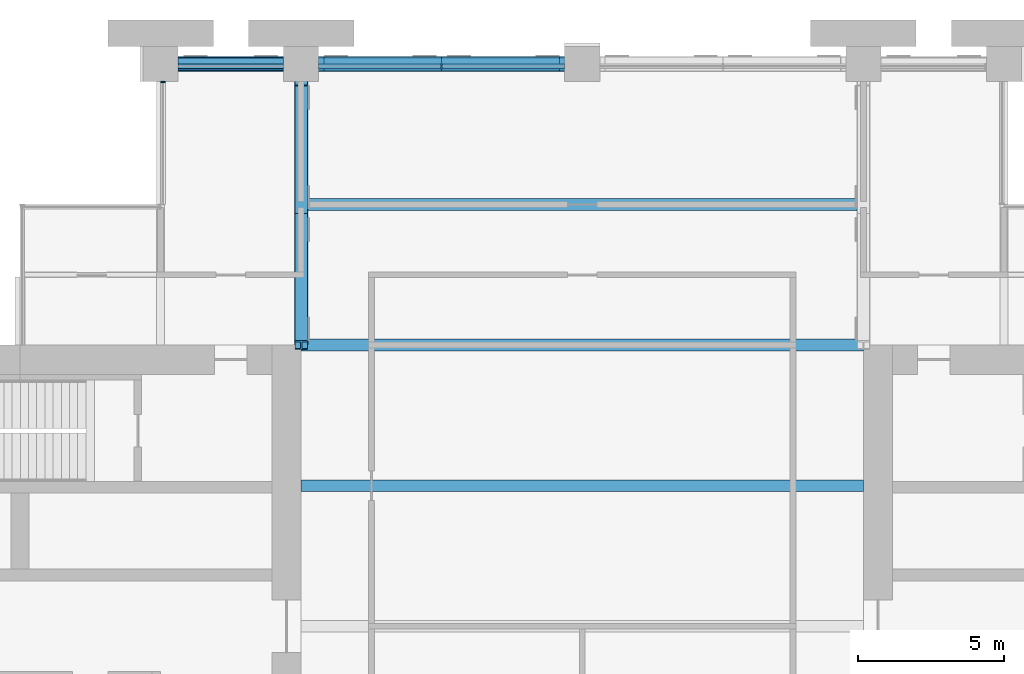
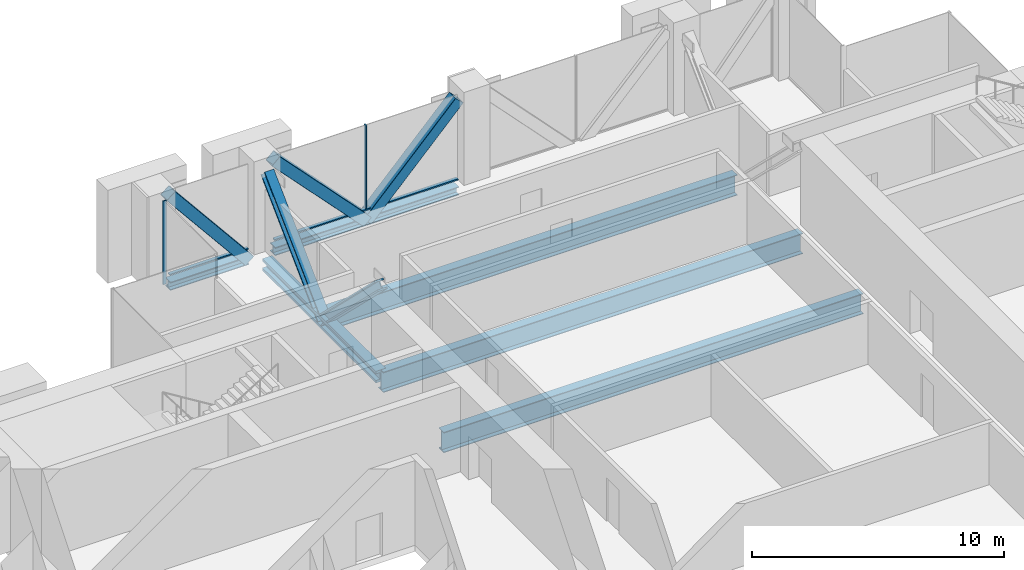
# One storey, part 6 of 14: 9 members, 6 beams, 2 elements without a shape of their own.
"""IFC4 building model written with IfcOpenShell, lengths in metres."""

import ifcopenshell
import ifcopenshell.guid

model = None  # the IFC model being written
_history = None  # IfcOwnerHistory: only IFC2X3 demands one
_inside = {}  # id of a spatial element -> (the spatial element, [elements in it])
_under = {}  # id of a project, library or spatial element -> (it, [spatial elements below it])
_declared = {}  # id of a project -> (the project, [libraries it declares])
_typed = {}  # id of a type object -> (the type object, [elements of that type])
_made_of = {}  # id of a material, layer set ... -> (it, [elements and type objects made of it])


def new_model(schema):
    """Start an empty IFC model of exactly this schema.

    Asked for "IFC4X3", IfcOpenShell would pick the latest addendum, in which some entities
    have other attributes; the version numbers below select the first issue.
    IFC2X3 requires an IfcOwnerHistory on every rooted entity: one is made here for all.
    """
    global model, _history
    if schema == "IFC4X3":
        model = ifcopenshell.file(schema_version=(4, 3, 0, 0))
    else:
        model = ifcopenshell.file(schema=schema)
    _inside.clear()
    _under.clear()
    _declared.clear()
    _typed.clear()
    _made_of.clear()
    _history = None
    if model.schema == "IFC2X3":
        org = make("IfcOrganization", Name="unknown")
        user = make(
            "IfcPersonAndOrganization",
            ThePerson=make("IfcPerson", FamilyName="unknown"),
            TheOrganization=org,
        )
        app = make(
            "IfcApplication",
            ApplicationDeveloper=org,
            Version="unknown",
            ApplicationFullName="unknown",
            ApplicationIdentifier="unknown",
        )
        _history = make(
            "IfcOwnerHistory",
            OwningUser=user,
            OwningApplication=app,
            ChangeAction="ADDED",
            CreationDate=0,
        )
    return model


def make(cls, **values):
    """One entity of the class cls with the attributes given. An attribute that is None is left unset."""
    return model.create_entity(
        cls, **{name: value for name, value in values.items() if value is not None}
    )


def rooted(cls, **values):
    """An entity with a GlobalId (a new one), such as an element, a storey or a relation."""
    return make(cls, GlobalId=ifcopenshell.guid.new(), OwnerHistory=_history, **values)


def si_unit(unit_type, name, prefix=None):
    """IfcSIUnit, for example si_unit("LENGTHUNIT", "METRE", prefix="MILLI")."""
    return make("IfcSIUnit", UnitType=unit_type, Prefix=prefix, Name=name)


def assignment(units):
    """IfcUnitAssignment: the units of a project."""
    return None if units is None else make("IfcUnitAssignment", Units=units)


def point(xyz):
    """IfcCartesianPoint."""
    return None if xyz is None else make("IfcCartesianPoint", Coordinates=xyz)


def direction(xyz):
    """IfcDirection."""
    return None if xyz is None else make("IfcDirection", DirectionRatios=xyz)


def frame(location, z_axis=None, x_axis=None):
    """IfcAxis2Placement3D, a coordinate frame: its origin and axes. An axis left out is left unset."""
    return make(
        "IfcAxis2Placement3D",
        Location=point(location),
        Axis=direction(z_axis),
        RefDirection=direction(x_axis),
    )


def frame_2d(location, x_axis=None):
    """IfcAxis2Placement2D, a coordinate frame in the plane: its origin and x axis."""
    return make(
        "IfcAxis2Placement2D", Location=point(location), RefDirection=direction(x_axis)
    )


def origin():
    """The frame at (0, 0, 0) with its axes left unset."""
    return frame((0.0, 0.0, 0.0))


def origin_2d():
    """The frame at (0, 0) in the plane with its x axis left unset."""
    return frame_2d((0.0, 0.0))


def place(relative_to, where):
    """IfcLocalPlacement: puts the frame where relative to a parent placement (None: the world)."""
    return make(
        "IfcLocalPlacement", PlacementRelTo=relative_to, RelativePlacement=where
    )


def context(
    kind, dimensions, precision=None, world=None, true_north=None, identifier=None
):
    """IfcGeometricRepresentationContext, for example the 3D "Model" context."""
    return make(
        "IfcGeometricRepresentationContext",
        ContextIdentifier=identifier,
        ContextType=kind,
        CoordinateSpaceDimension=dimensions,
        Precision=precision,
        WorldCoordinateSystem=world,
        TrueNorth=true_north,
    )


def subcontext(parent, identifier, kind, view, scale=None):
    """IfcGeometricRepresentationSubContext, for example "Body" below "Model"."""
    return make(
        "IfcGeometricRepresentationSubContext",
        ContextIdentifier=identifier,
        ContextType=kind,
        ParentContext=parent,
        TargetScale=scale,
        TargetView=view,
    )


def project(units=None, contexts=None):
    """IfcProject with its units and contexts."""
    return rooted(
        "IfcProject",
        Name="project",
        RepresentationContexts=contexts,
        UnitsInContext=assignment(units),
    )


def spatial(cls, under=None, at=None, **own):
    """A site, building, storey or space (cls), placed at a placement, below another one or the project."""
    s = rooted(cls, ObjectPlacement=at, **own)
    if under is not None:
        _under.setdefault(under.id(), (under, []))[1].append(s)
    return s


def profile(cls, at=None, kind="AREA", **sizes):
    """A parametric profile (cls). Its sizes go by their IFC names, for example OverallWidth=200.0."""
    return make(cls, ProfileType=kind, Position=at, **sizes)


def rectangle(**sizes):
    """IfcRectangleProfileDef."""
    return profile("IfcRectangleProfileDef", **sizes)


def hollow_rectangle(**sizes):
    """IfcRectangleHollowProfileDef."""
    return profile("IfcRectangleHollowProfileDef", **sizes)


def i_section(**sizes):
    """IfcIShapeProfileDef."""
    return profile("IfcIShapeProfileDef", **sizes)


def extrude(swept, where, along, depth):
    """IfcExtrudedAreaSolid: the profile swept, set in the frame where, extruded along a direction by depth."""
    return make(
        "IfcExtrudedAreaSolid",
        SweptArea=swept,
        Position=where,
        ExtrudedDirection=direction(along),
        Depth=depth,
    )


def shape(context_of_items, identifier, shape_type, items):
    """IfcShapeRepresentation: the items that make up one representation, for example the "Body"."""
    return make(
        "IfcShapeRepresentation",
        ContextOfItems=context_of_items,
        RepresentationIdentifier=identifier,
        RepresentationType=shape_type,
        Items=items,
    )


def material(Name=None, Category=None):
    """IfcMaterial."""
    return make("IfcMaterial", Name=Name, Category=Category)


def material_profile(
    of_material, cross_section, Name=None, Category=None, Priority=None
):
    """IfcMaterialProfile: a cross section and its material."""
    return make(
        "IfcMaterialProfile",
        Name=Name,
        Material=of_material,
        Profile=cross_section,
        Priority=Priority,
        Category=Category,
    )


def profile_set(profiles, Name=None, composite=None):
    """IfcMaterialProfileSet."""
    return make(
        "IfcMaterialProfileSet",
        Name=Name,
        MaterialProfiles=profiles,
        CompositeProfile=composite,
    )


def made_of(thing, what):
    """Note that an element or type object is made of a material, layer set ...; save() writes the relation."""
    if what is not None:
        _made_of.setdefault(what.id(), (what, []))[1].append(thing)
    return thing


def type_object(cls, material=None, **own):
    """A type object (cls), such as IfcWallType, which elements share."""
    return made_of(rooted(cls, **own), material)


def element(
    cls,
    number,
    at=None,
    inside=None,
    cuts=None,
    type_object=None,
    material=None,
    context=None,
    identifier="Body",
    shape_type=None,
    held_by="IfcProductDefinitionShape",
    body=None,
    shapes=None,
    **own,
):
    """One element of the class cls, such as IfcWall. Its Tag is "e" and its number.

    at: its placement. inside: the storey or other place that contains it. cuts: it is an
    opening in that element (IfcRelVoidsElement). A single representation is given by context,
    identifier, shape_type and body (its items); several are given by shapes. held_by: the class
    of the entity that holds the representations. save() writes the other relations.
    """
    e = rooted(cls, Tag="e%d" % number, ObjectPlacement=at, **own)
    if body is not None:
        shapes = [shape(context, identifier, shape_type, body)]
    if shapes is not None:
        e.Representation = make(held_by, Representations=shapes)
    if inside is not None:
        _inside.setdefault(inside.id(), (inside, []))[1].append(e)
    if cuts is not None:
        rooted(
            "IfcRelVoidsElement", RelatingBuildingElement=cuts, RelatedOpeningElement=e
        )
    if type_object is not None:
        _typed.setdefault(type_object.id(), (type_object, []))[1].append(e)
    return made_of(e, material)


def aggregate(whole, parts):
    """IfcRelAggregates: a whole, such as a stair, and the parts it consists of."""
    return rooted("IfcRelAggregates", RelatingObject=whole, RelatedObjects=parts)


def save(model, path):
    """Write the relations noted so far, then the file.

    IfcRelAggregates (storeys below a building ...), IfcRelContainedInSpatialStructure (elements
    in a storey), IfcRelDefinesByType, IfcRelAssociatesMaterial and IfcRelDeclares: one each for
    every whole, place, type object, material and project.
    """
    for whole, parts in _under.values():
        aggregate(whole, parts)
    for where, things in _inside.values():
        rooted(
            "IfcRelContainedInSpatialStructure",
            RelatedElements=things,
            RelatingStructure=where,
        )
    for kind, things in _typed.values():
        rooted("IfcRelDefinesByType", RelatedObjects=things, RelatingType=kind)
    for what, things in _made_of.values():
        rooted("IfcRelAssociatesMaterial", RelatedObjects=things, RelatingMaterial=what)
    for by, libraries in _declared.values():
        rooted("IfcRelDeclares", RelatingContext=by, RelatedDefinitions=libraries)
    model.write(path)


model = new_model("IFC4")

# Units and contexts
model_context = context("Model", 3, precision=1e-05, world=origin(), true_north=direction((0.0, 1.0)))
body_context = subcontext(model_context, "Body", "Model", "MODEL_VIEW")
ifc_project = project(units=[si_unit("LENGTHUNIT", "METRE"), si_unit("AREAUNIT", "SQUARE_METRE"), si_unit("VOLUMEUNIT", "CUBIC_METRE"), si_unit("PLANEANGLEUNIT", "RADIAN"), si_unit("MASSUNIT", "GRAM", prefix="KILO")], contexts=[model_context])

# Site, building, storey
site_placement = place(None, origin())
site = spatial("IfcSite", under=ifc_project, at=site_placement, CompositionType="ELEMENT")
building_placement = place(site_placement, origin())
building = spatial("IfcBuilding", under=site, at=building_placement, Name="Baori Bourse Tower", CompositionType="ELEMENT")
storey_placement = place(building_placement, frame((0.0, 0.0, 176.10009765625)))
storey = spatial("IfcBuildingStorey", under=building, at=storey_placement, Name="L39", CompositionType="ELEMENT", Elevation=176.10009765625)

# Beams
ifc_material_1 = material(Name="Steel A913 Gr 65", Category="steel")
ifc_material_profile_1 = material_profile(ifc_material_1, i_section(OverallWidth=0.4013671875, OverallDepth=0.398681640625, WebThickness=0.02490234375, FlangeThickness=0.03955078125, at=origin_2d()), Name="W14x211")
ifc_profile_set_1 = profile_set([ifc_material_profile_1], Name="Steel A913 Gr 65")
beam_type_1 = type_object("IfcBeamType", Name="Belt truss chord W14x211", PredefinedType="BEAM", material=ifc_profile_set_1)
beam_1_placement = place(storey_placement, frame((15.0, 48.0, -0.49951171875), z_axis=(1.0, 0.0, 0.0), x_axis=(0.0, 1.0, 0.0)))
element("IfcBeam", 1, at=beam_1_placement, inside=storey, type_object=beam_type_1, Name="Belt truss chord L39", PredefinedType="BEAM", context=body_context, shape_type="SweptSolid", body=[
    extrude(i_section(OverallWidth=0.4013671875, OverallDepth=0.398681640625, WebThickness=0.02490234375, FlangeThickness=0.03955078125, at=origin_2d()), origin(), (0.0, 0.0, 1.0), 3.60009765625),
])
beam_2_placement = place(storey_placement, frame((19.800048828125, 48.0, -0.49951171875), z_axis=(1.0, 0.0, 0.0), x_axis=(0.0, 1.0, 0.0)))
element("IfcBeam", 2, at=beam_2_placement, inside=storey, type_object=beam_type_1, Name="Belt truss chord L39", PredefinedType="BEAM", context=body_context, shape_type="SweptSolid", body=[
    extrude(i_section(OverallWidth=0.4013671875, OverallDepth=0.398681640625, WebThickness=0.02490234375, FlangeThickness=0.03955078125, at=origin_2d()), origin(), (0.0, 0.0, 1.0), 8.39990234375),
])

# Members
ifc_material_2 = material(Name="Steel A500 Gr C", Category="steel")
ifc_material_profile_2 = material_profile(ifc_material_2, hollow_rectangle(XDim=0.508056640625, YDim=0.508056640625, WallThickness=0.0146484375, InnerFilletRadius=0.00732421875, OuterFilletRadius=0.022216796875, at=origin_2d()), Name="HSS20x20x5/8")
ifc_profile_set_2 = profile_set([ifc_material_profile_2], Name="Steel A500 Gr C")
member_type_1 = type_object("IfcMemberType", Name="Belt truss diagonal HSS20x20x5/8", PredefinedType="BRACE", material=ifc_profile_set_2)
member_1_placement = place(storey_placement, frame((15.0, 48.0, 3.900390625), z_axis=(0.633256498476, 0.0, -0.773941992102), x_axis=(0.0, 1.0, 0.0)))
element("IfcMember", 3, at=member_1_placement, inside=storey, type_object=member_type_1, Name="Belt truss diagonal L39", PredefinedType="BRACE", context=body_context, shape_type="SweptSolid", body=[
    extrude(hollow_rectangle(XDim=0.508056640625, YDim=0.508056640625, WallThickness=0.0146484375, InnerFilletRadius=0.00732421875, OuterFilletRadius=0.022216796875, at=origin_2d()), origin(), (0.0, 0.0, 1.0), 5.68505859375),
])
for number, where, z_axis, x_axis, name in (
    (4, (19.800048828125, 48.0, 3.900390625), (0.690479565127, 0.0, -0.723351899245), (0.0, 1.0, 0.0), "Belt truss diagonal L39"),
    (5, (24.0, 48.0, -0.49951171875), (0.690479565127, 0.0, 0.723351899245), (0.0, 1.0, 0.0), "Belt truss diagonal L39"),
):
    element("IfcMember", number, at=place(storey_placement, frame(where, z_axis=z_axis, x_axis=x_axis)), inside=storey, type_object=member_type_1, Name=name, PredefinedType="BRACE", context=body_context, shape_type="SweptSolid", body=[
        extrude(hollow_rectangle(XDim=0.508056640625, YDim=0.508056640625, WallThickness=0.0146484375, InnerFilletRadius=0.00732421875, OuterFilletRadius=0.022216796875, at=origin_2d()), origin(), (0.0, 0.0, 1.0), 6.082763671875),
    ])

# Curtain wall, member
ifc_material_3 = material(Name="Pale anodised aluminium", Category="aluminium")
curtain_wall_type = type_object("IfcCurtainWallType", Name="CW3 Curtain wall", PredefinedType="NOTDEFINED", material=ifc_material_3)
curtain_wall_1_placement = place(storey_placement, origin())
curtain_wall_1 = element("IfcCurtainWall", 6, at=curtain_wall_1_placement, inside=storey, type_object=curtain_wall_type, Name="Curtain wall CW3 L39 4", PredefinedType="NOTDEFINED")
ifc_material_4 = material(Name="Pale anodised aluminium", Category="aluminium")
ifc_material_profile_3 = material_profile(ifc_material_4, rectangle(XDim=0.159912109375, YDim=0.050048828125, at=origin_2d()), Name="Mullion 50x160")
ifc_profile_set_3 = profile_set([ifc_material_profile_3], Name="Pale anodised aluminium")
member_type_2 = type_object("IfcMemberType", Name="CW3 Curtain wall mullion", PredefinedType="MULLION", material=ifc_profile_set_3)
member_2_placement = place(storey_placement, frame((24.0, 47.919921875, 0.059814453125), z_axis=(0.0, 0.0, 1.0), x_axis=(0.0, -1.0, 0.0)))
member_2 = element("IfcMember", 7, at=member_2_placement, type_object=member_type_2, Name="Curtain wall CW3 mullion", PredefinedType="MULLION", context=body_context, shape_type="SweptSolid", body=[
    extrude(rectangle(XDim=0.159912109375, YDim=0.050048828125, at=origin_2d()), origin(), (0.0, 0.0, 1.0), 4.0400390625),
])

curtain_wall_2_placement = place(storey_placement, origin())
curtain_wall_2 = element("IfcCurtainWall", 8, at=curtain_wall_2_placement, inside=storey, type_object=curtain_wall_type, Name="Curtain wall CW3 L39 5", PredefinedType="NOTDEFINED")
member_3_placement = place(storey_placement, frame((14.47998046875, 47.375, 0.059814453125), z_axis=(0.0, 0.0, 1.0), x_axis=(1.0, 0.0, 0.0)))
member_3 = element("IfcMember", 9, at=member_3_placement, type_object=member_type_2, Name="Curtain wall CW3 mullion", PredefinedType="MULLION", context=body_context, shape_type="SweptSolid", body=[
    extrude(rectangle(XDim=0.159912109375, YDim=0.050048828125, at=origin_2d()), origin(), (0.0, 0.0, 1.0), 4.0400390625),
])
aggregate(curtain_wall_2, [member_3])

# Member
ifc_material_5 = material(Name="Pale anodised aluminium", Category="aluminium")
ifc_material_profile_4 = material_profile(ifc_material_5, rectangle(XDim=0.159912109375, YDim=0.06005859375, at=origin_2d()), Name="Transom 60x160")
ifc_profile_set_4 = profile_set([ifc_material_profile_4], Name="Pale anodised aluminium")
member_type_3 = type_object("IfcMemberType", Name="CW3 Curtain wall transom", PredefinedType="USERDEFINED", material=ifc_profile_set_4)
member_4_placement = place(storey_placement, frame((28.199951171875, 47.919921875, 0.02978515625), z_axis=(-1.0, 0.0, 0.0), x_axis=(0.0, -1.0, 0.0)))
member_4 = element("IfcMember", 10, at=member_4_placement, type_object=member_type_3, Name="Curtain wall CW3 sill rail", ObjectType="TRANSOM", PredefinedType="USERDEFINED", context=body_context, shape_type="SweptSolid", body=[
    extrude(rectangle(XDim=0.159912109375, YDim=0.06005859375, at=origin_2d()), origin(), (0.0, 0.0, 1.0), 8.39990234375),
])

member_5_placement = place(storey_placement, frame((18.60009765625, 47.919921875, 0.02978515625), z_axis=(-1.0, 0.0, 0.0), x_axis=(0.0, -1.0, 0.0)))
member_5 = element("IfcMember", 11, at=member_5_placement, type_object=member_type_3, Name="Curtain wall CW3 sill rail", ObjectType="TRANSOM", PredefinedType="USERDEFINED", context=body_context, shape_type="SweptSolid", body=[
    extrude(rectangle(XDim=0.159912109375, YDim=0.06005859375, at=origin_2d()), origin(), (0.0, 0.0, 1.0), 3.60009765625),
])

aggregate(curtain_wall_1, [member_4, member_2, member_5])

# Beams
ifc_material_6 = material(Name="Steel A992 Gr 50", Category="steel")
ifc_material_profile_5 = material_profile(ifc_material_6, i_section(OverallWidth=0.4013671875, OverallDepth=0.990478515625, WebThickness=0.0166015625, FlangeThickness=0.031005859375, at=origin_2d()), Name="W40x215")
ifc_profile_set_5 = profile_set([ifc_material_profile_5], Name="Steel A992 Gr 50")
beam_type_2 = type_object("IfcBeamType", Name="Floor beam W40x215", PredefinedType="BEAM", material=ifc_profile_set_5)
for number, where, z_axis, x_axis, name in (
    (12, (19.199951171875, 33.60009765625, -0.79541015625), (1.0, 0.0, 0.0), (0.0, 1.0, 0.0), "Floor beam L39"),
    (13, (19.199951171875, 38.39990234375, -0.79541015625), (1.0, 0.0, 0.0), (0.0, 1.0, 0.0), "Floor beam L39"),
):
    element("IfcBeam", number, at=place(storey_placement, frame(where, z_axis=z_axis, x_axis=x_axis)), inside=storey, type_object=beam_type_2, Name=name, PredefinedType="BEAM", context=body_context, shape_type="SweptSolid", body=[
        extrude(i_section(OverallWidth=0.4013671875, OverallDepth=0.990478515625, WebThickness=0.0166015625, FlangeThickness=0.031005859375, at=origin_2d()), origin(), (0.0, 0.0, 1.0), 19.199951171875),
    ])
beam_3_placement = place(storey_placement, frame((19.42724609375, 43.199951171875, -0.79541015625), z_axis=(1.0, 0.0, 0.0), x_axis=(0.0, 1.0, 0.0)))
element("IfcBeam", 14, at=beam_3_placement, inside=storey, type_object=beam_type_2, Name="Floor beam L39", PredefinedType="BEAM", context=body_context, shape_type="SweptSolid", body=[
    extrude(i_section(OverallWidth=0.4013671875, OverallDepth=0.990478515625, WebThickness=0.0166015625, FlangeThickness=0.031005859375, at=origin_2d()), origin(), (0.0, 0.0, 1.0), 18.745361328125),
])
ifc_material_7 = material(Name="Steel A913 Gr 65", Category="steel")
ifc_material_profile_6 = material_profile(ifc_material_7, i_section(OverallWidth=0.45458984375, OverallDepth=0.56884765625, WebThickness=0.077880859375, FlangeThickness=0.124755859375, at=origin_2d()), Name="W14x730")
ifc_profile_set_6 = profile_set([ifc_material_profile_6], Name="Steel A913 Gr 65")
beam_type_3 = type_object("IfcBeamType", Name="Outrigger truss chord W14x730", PredefinedType="BEAM", material=ifc_profile_set_6)
beam_4_placement = place(storey_placement, frame((19.199951171875, 38.39990234375, -0.58447265625), z_axis=(0.0, 1.0, 0.0), x_axis=(-1.0, 0.0, 0.0)))
element("IfcBeam", 15, at=beam_4_placement, inside=storey, type_object=beam_type_3, Name="Outrigger truss chord L39", PredefinedType="BEAM", context=body_context, shape_type="SweptSolid", body=[
    extrude(i_section(OverallWidth=0.45458984375, OverallDepth=0.56884765625, WebThickness=0.077880859375, FlangeThickness=0.124755859375, at=origin_2d()), origin(), (0.0, 0.0, 1.0), 9.0),
])

# Members
ifc_material_8 = material(Name="Steel A913 Gr 65", Category="steel")
ifc_material_profile_7 = material_profile(ifc_material_8, i_section(OverallWidth=0.419189453125, OverallDepth=0.45458984375, WebThickness=0.042236328125, FlangeThickness=0.067626953125, at=origin_2d()), Name="W14x370")
ifc_profile_set_7 = profile_set([ifc_material_profile_7], Name="Steel A913 Gr 65")
member_type_4 = type_object("IfcMemberType", Name="Outrigger truss diagonal W14x370", PredefinedType="BRACE", material=ifc_profile_set_7)
for number, where, z_axis, x_axis, name in (
    (16, (19.199951171875, 38.39990234375, 3.8154296875), (0.0, 0.715014425413, -0.699109699154), (-1.0, 0.0, 0.0), "Outrigger truss diagonal L39"),
    (17, (19.199951171875, 42.89990234375, -0.58447265625), (0.0, 0.715014425413, 0.699109699154), (-1.0, 0.0, 0.0), "Outrigger truss diagonal L39"),
):
    element("IfcMember", number, at=place(storey_placement, frame(where, z_axis=z_axis, x_axis=x_axis)), inside=storey, type_object=member_type_4, Name=name, PredefinedType="BRACE", context=body_context, shape_type="SweptSolid", body=[
        extrude(i_section(OverallWidth=0.419189453125, OverallDepth=0.45458984375, WebThickness=0.042236328125, FlangeThickness=0.067626953125, at=origin_2d()), origin(), (0.0, 0.0, 1.0), 6.293701171875),
    ])

save(model, "model.ifc")
